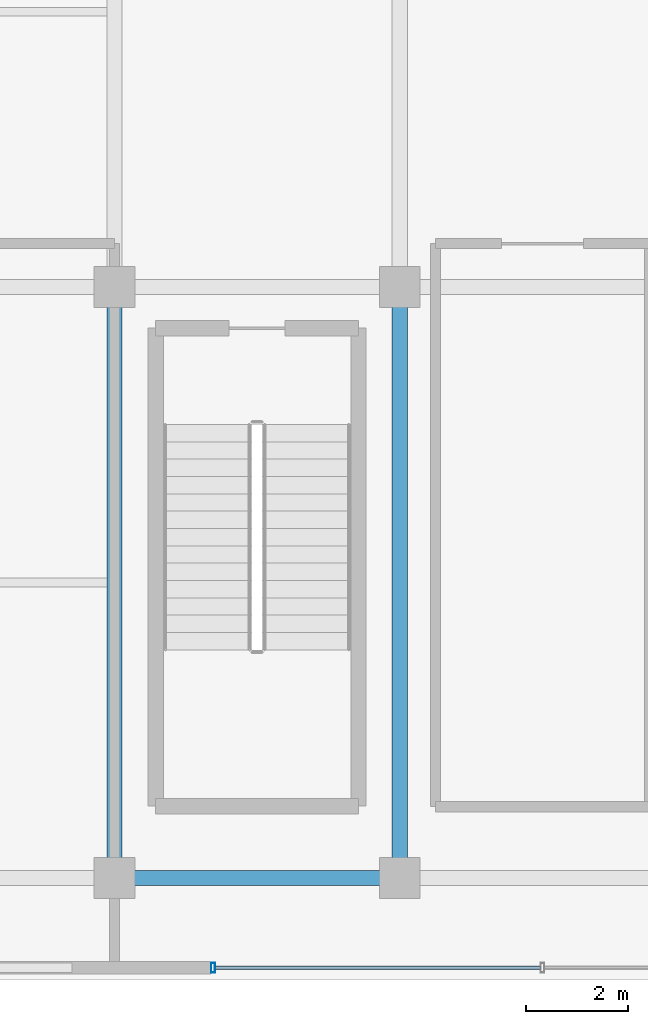
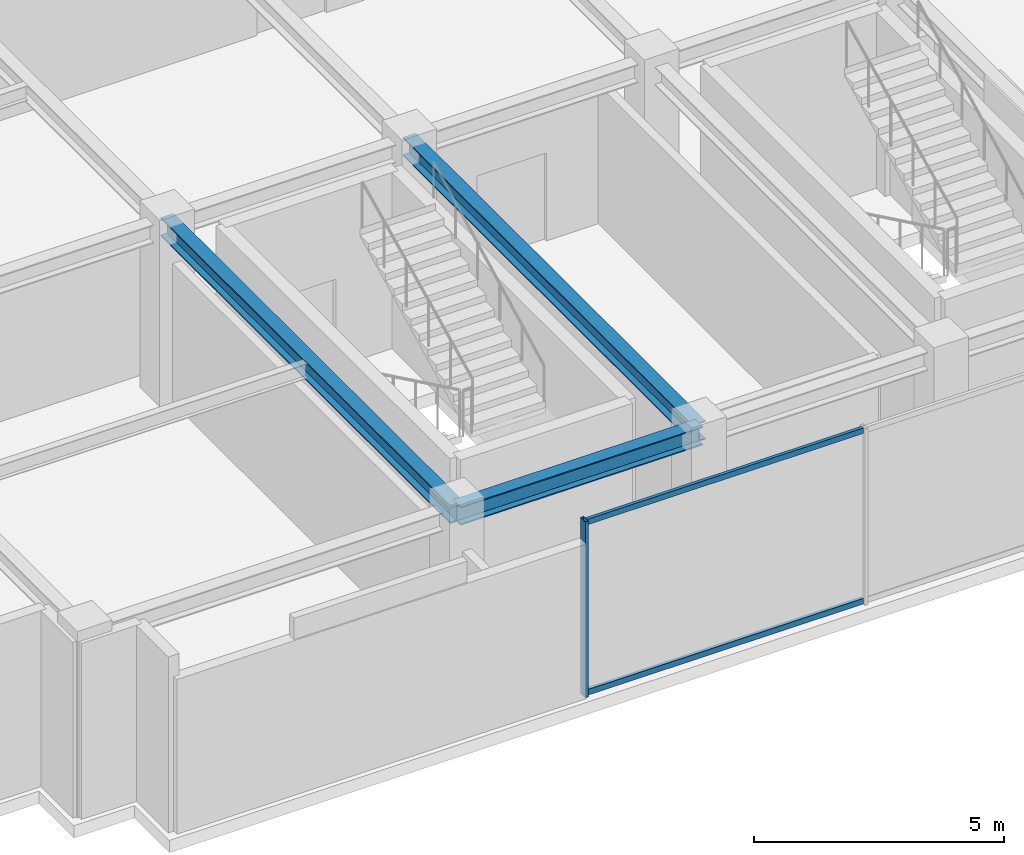
# One storey, part 2 of 18: 3 beams, 3 members, 1 element without a shape of its own.
"""IFC4 building model written with IfcOpenShell, lengths in metres."""

from ifc_helpers import new_model, si_unit, direction, frame, origin, origin_2d, place, context, subcontext, project, spatial, hollow_rectangle, i_section, extrude, source, transform, mapped, material, material_profile, profile_set, type_object, element, aggregate, save


model = new_model("IFC4")

# Units and contexts
model_context = context("Model", 3, precision=1e-05, world=origin(), true_north=direction((0.0, 1.0)))
body_context = subcontext(model_context, "Body", "Model", "MODEL_VIEW")
ifc_project = project(units=[si_unit("LENGTHUNIT", "METRE"), si_unit("AREAUNIT", "SQUARE_METRE"), si_unit("VOLUMEUNIT", "CUBIC_METRE"), si_unit("PLANEANGLEUNIT", "RADIAN"), si_unit("MASSUNIT", "GRAM", prefix="KILO")], contexts=[model_context])

# Site, building, storey
site_placement = place(None, origin())
site = spatial("IfcSite", under=ifc_project, at=site_placement, CompositionType="ELEMENT")
building_placement = place(site_placement, origin())
building = spatial("IfcBuilding", under=site, at=building_placement, Name="Nahalor Promenade Grand Hotel", CompositionType="ELEMENT")
storey_placement = place(building_placement, frame((0.0, 0.0, 361.64990234375)))
storey = spatial("IfcBuildingStorey", under=building, at=storey_placement, Name="L92", CompositionType="ELEMENT", Elevation=361.64990234375)

# Beams
ifc_material_1 = material(Name="Steel S355JR", Category="steel")
ifc_material_profile_1 = material_profile(ifc_material_1, i_section(OverallWidth=0.3, OverallDepth=0.45, WebThickness=0.014, FlangeThickness=0.026, at=origin_2d()), Name="HEB 450")
ifc_profile_set_1 = profile_set([ifc_material_profile_1], Name="Steel S355JR")
beam_type = type_object("IfcBeamType", Name="Beam-Girder-HEB450", PredefinedType="BEAM", material=ifc_profile_set_1)
shared_shape_1 = source(origin(), body_context, "Body", "SweptSolid", [
    extrude(i_section(OverallWidth=0.3, OverallDepth=0.45, WebThickness=0.014, FlangeThickness=0.026, at=origin_2d()), origin(), (0.0, 0.0, 1.0), 5.599853515625),
])
beam_placement = place(storey_placement, frame((-8.39990234375, -17.0, 4.0751953125), z_axis=(1.0, 0.0, 0.0), x_axis=(0.0, 1.0, 0.0)))
element("IfcBeam", 1, at=beam_placement, inside=storey, type_object=beam_type, Name="BM-L92-GX-0-1", PredefinedType="BEAM", context=body_context, shape_type="MappedRepresentation", body=[
    mapped(shared_shape_1, transform((0.0, 0.0, 0.0), scale=1.0)),
])
shared_shape_2 = source(origin(), body_context, "Body", "SweptSolid", [
    extrude(i_section(OverallWidth=0.3, OverallDepth=0.45, WebThickness=0.014, FlangeThickness=0.026, at=origin_2d()), origin(), (0.0, 0.0, 1.0), 11.60009765625),
])
for number, where, z_axis, x_axis, name in (
    (2, (-8.39990234375, -17.0, 4.0751953125), (0.0, 1.0, 0.0), (-1.0, 0.0, 0.0), "BM-L92-GY-1-0"),
    (3, (-2.800048828125, -17.0, 4.0751953125), (0.0, 1.0, 0.0), (-1.0, 0.0, 0.0), "BM-L92-GY-2-0"),
):
    element("IfcBeam", number, at=place(storey_placement, frame(where, z_axis=z_axis, x_axis=x_axis)), inside=storey, type_object=beam_type, Name=name, PredefinedType="BEAM", context=body_context, shape_type="MappedRepresentation", body=[
        mapped(shared_shape_2, transform((0.0, 0.0, 0.0), scale=1.0)),
    ])

# Curtain wall, members
ifc_material_2 = material(Name="Anodised Bronze Aluminium EN AW-6063 T6", Category="aluminium")
curtain_wall_type = type_object("IfcCurtainWallType", Name="CW6 Crown Botanical Conservatory Curtain Wall", PredefinedType="USERDEFINED", material=ifc_material_2)
curtain_wall_placement = place(storey_placement, origin())
curtain_wall = element("IfcCurtainWall", 4, at=curtain_wall_placement, inside=storey, type_object=curtain_wall_type, Name="L92 Curtain Wall CW-L92-S", ObjectType="UNITISED_CURTAIN_WALL", PredefinedType="USERDEFINED")
ifc_material_profile_2 = material_profile(ifc_material_2, hollow_rectangle(XDim=0.075, YDim=0.135, WallThickness=0.004, at=origin_2d()), Name="CWT 75x135x4")
ifc_profile_set_2 = profile_set([ifc_material_profile_2], Name="Anodised Bronze Aluminium EN AW-6063 T6")
member_type_1 = type_object("IfcMemberType", Name="CWT6 Conservatory Transom 75x135", PredefinedType="USERDEFINED", material=ifc_profile_set_2)
shared_shape_3 = source(origin(), body_context, "Body", "SweptSolid", [
    extrude(hollow_rectangle(XDim=0.075, YDim=0.135, WallThickness=0.004, at=origin_2d()), origin(), (0.0, 0.0, 1.0), 6.387451171875),
])
member_1_placement = place(storey_placement, frame((-6.425048828125, -18.760009765625, 0.067626953125), z_axis=(1.0, 0.0, 0.0), x_axis=(0.0, 1.0, 0.0)))
member_1 = element("IfcMember", 5, at=member_1_placement, type_object=member_type_1, Name="CW-L92-S Transom 0-0", ObjectType="TRANSOM", PredefinedType="USERDEFINED", context=body_context, shape_type="MappedRepresentation", body=[
    mapped(shared_shape_3, transform((0.0, 0.0, 0.0), scale=1.0)),
])
member_2_placement = place(storey_placement, frame((-6.425048828125, -18.760009765625, 4.232666015625), z_axis=(1.0, 0.0, 0.0), x_axis=(0.0, 1.0, 0.0)))
member_2 = element("IfcMember", 6, at=member_2_placement, type_object=member_type_1, Name="CW-L92-S Transom 0-1", ObjectType="TRANSOM", PredefinedType="USERDEFINED", context=body_context, shape_type="MappedRepresentation", body=[
    mapped(shared_shape_3, transform((0.0, 0.0, 0.0), scale=1.0)),
])
ifc_material_profile_3 = material_profile(ifc_material_2, hollow_rectangle(XDim=0.075, YDim=0.19, WallThickness=0.005, at=origin_2d()), Name="CWM 75x190x5")
ifc_profile_set_3 = profile_set([ifc_material_profile_3], Name="Anodised Bronze Aluminium EN AW-6063 T6")
member_type_2 = type_object("IfcMemberType", Name="CWM6 Conservatory Bronze Mullion 75x190", PredefinedType="MULLION", material=ifc_profile_set_3)
shared_shape_4 = source(origin(), body_context, "Body", "SweptSolid", [
    extrude(hollow_rectangle(XDim=0.075, YDim=0.19, WallThickness=0.005, at=origin_2d()), origin(), (0.0, 0.0, 1.0), 4.300048828125),
])
member_3_placement = place(storey_placement, frame((-6.46240234375, -18.760009765625, 0.0), z_axis=(0.0, 0.0, 1.0), x_axis=(1.0, 0.0, 0.0)))
member_3 = element("IfcMember", 7, at=member_3_placement, type_object=member_type_2, Name="CW-L92-S Mullion 0", PredefinedType="MULLION", context=body_context, shape_type="MappedRepresentation", body=[
    mapped(shared_shape_4, transform((0.0, 0.0, 0.0), scale=1.0)),
])
aggregate(curtain_wall, [member_3, member_1, member_2])

save(model, "model.ifc")
